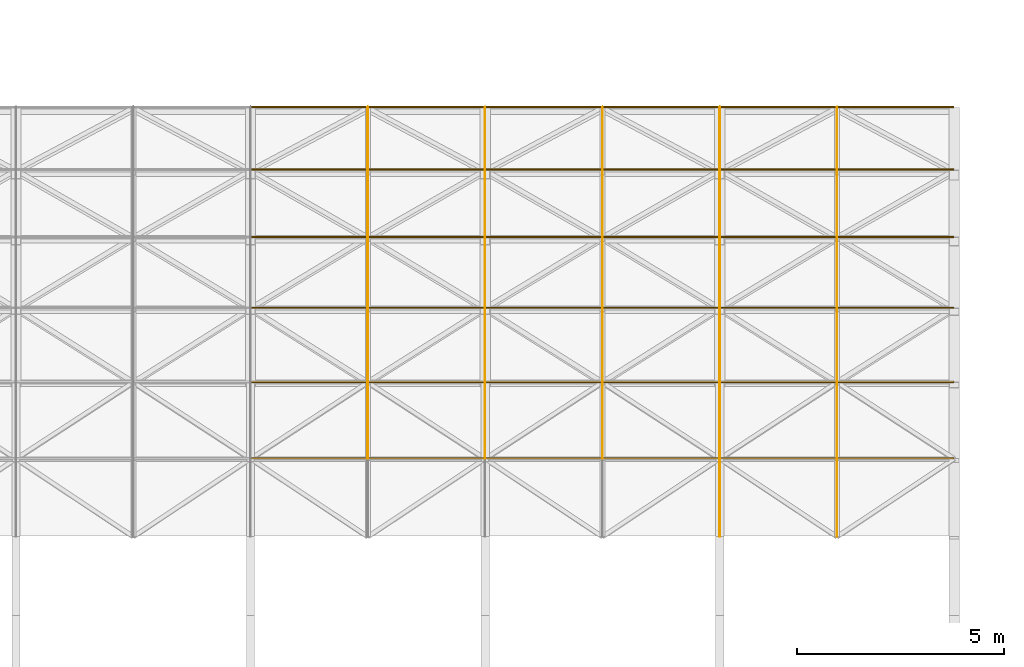
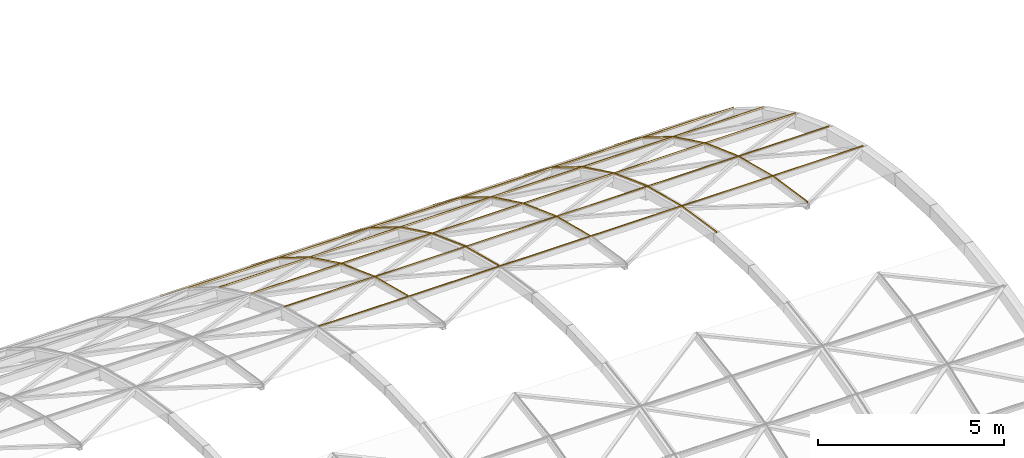
# One storey, part 70 of 85: 63 coverings.
"""IFC4 building model written with IfcOpenShell, lengths in metres."""

from ifc_helpers import new_model, si_unit, direction, frame, origin, origin_2d, place, context, subcontext, project, spatial, rectangle, extrude, material, material_profile, profile_set, type_object, element, save


model = new_model("IFC4")

# Units and contexts
model_context = context("Model", 3, precision=1e-05, world=origin(), true_north=direction((0.0, 1.0)))
body_context = subcontext(model_context, "Body", "Model", "MODEL_VIEW")
ifc_project = project(units=[si_unit("LENGTHUNIT", "METRE"), si_unit("AREAUNIT", "SQUARE_METRE"), si_unit("VOLUMEUNIT", "CUBIC_METRE"), si_unit("PLANEANGLEUNIT", "RADIAN"), si_unit("MASSUNIT", "GRAM", prefix="KILO")], contexts=[model_context])

# Site, building, storey
site_placement = place(None, origin())
site = spatial("IfcSite", under=ifc_project, at=site_placement, CompositionType="ELEMENT")
building_placement = place(site_placement, origin())
building = spatial("IfcBuilding", under=site, at=building_placement, Name="Lantern Court Research Institute", CompositionType="ELEMENT")
storey_placement = place(building_placement, frame((0.0, 0.0, 18.89990234375)))
storey = spatial("IfcBuildingStorey", under=building, at=storey_placement, Name="L04", CompositionType="ELEMENT", Elevation=18.89990234375)

# Coverings
ifc_material_1 = material(Name="Aluminium alloy 6063-T6", Category="aluminium")
ifc_material_profile_1 = material_profile(ifc_material_1, rectangle(XDim=0.01806640625, YDim=0.035888671875, at=origin_2d()), Name="Joint cover bar 18 x 36")
ifc_profile_set_1 = profile_set([ifc_material_profile_1], Name="Aluminium alloy 6063-T6")
covering_type_1 = type_object("IfcCoveringType", Name="Joint cover bar 18 x 36", PredefinedType="MOLDING", material=ifc_profile_set_1)
for number, where, z_axis, x_axis, name in (
    (1, (62.238525390625, 43.909423828125, 4.335693359375), (1.0, 0.0, 0.0), (0.0, 0.979787176632, -0.200042716708), "Joint cover bar"),
    (2, (62.238525390625, 45.753662109375, 3.861328125), (1.0, 0.0, 0.0), (0.0, 0.954713115517, -0.29752792652), "Joint cover bar"),
):
    element("IfcCovering", number, at=place(storey_placement, frame(where, z_axis=z_axis, x_axis=x_axis)), inside=storey, type_object=covering_type_1, Name=name, PredefinedType="MOLDING", context=body_context, shape_type="SweptSolid", body=[
        extrude(rectangle(XDim=0.01806640625, YDim=0.035888671875, at=origin_2d()), origin(), (0.0, 0.0, 1.0), 2.80859375),
    ])
covering_1_placement = place(storey_placement, frame((65.05712890625, 43.910400390625, 4.33544921875), z_axis=(0.0, 0.968474356566, -0.249113268764), x_axis=(-1.0, 0.0, 0.0)))
element("IfcCovering", 3, at=covering_1_placement, inside=storey, type_object=covering_type_1, Name="Joint cover bar", PredefinedType="MOLDING", context=body_context, shape_type="SweptSolid", body=[
    extrude(rectangle(XDim=0.01806640625, YDim=0.035888671875, at=origin_2d()), origin(), (0.0, 0.0, 1.0), 1.90234375),
])
for number, where, z_axis, x_axis, name in (
    (4, (65.067138671875, 43.909423828125, 4.335693359375), (1.0, 0.0, 0.0), (0.0, 0.979787176632, -0.200042716708), "Joint cover bar"),
    (5, (65.067138671875, 45.753662109375, 3.861328125), (1.0, 0.0, 0.0), (0.0, 0.954713115517, -0.29752792652), "Joint cover bar"),
):
    element("IfcCovering", number, at=place(storey_placement, frame(where, z_axis=z_axis, x_axis=x_axis)), inside=storey, type_object=covering_type_1, Name=name, PredefinedType="MOLDING", context=body_context, shape_type="SweptSolid", body=[
        extrude(rectangle(XDim=0.01806640625, YDim=0.035888671875, at=origin_2d()), origin(), (0.0, 0.0, 1.0), 2.80859375),
    ])
covering_2_placement = place(storey_placement, frame((67.8857421875, 43.910400390625, 4.33544921875), z_axis=(0.0, 0.968474356566, -0.249113268764), x_axis=(-1.0, 0.0, 0.0)))
element("IfcCovering", 6, at=covering_2_placement, inside=storey, type_object=covering_type_1, Name="Joint cover bar", PredefinedType="MOLDING", context=body_context, shape_type="SweptSolid", body=[
    extrude(rectangle(XDim=0.01806640625, YDim=0.035888671875, at=origin_2d()), origin(), (0.0, 0.0, 1.0), 1.90234375),
])
for number, where, z_axis, x_axis, name in (
    (7, (67.895751953125, 43.909423828125, 4.335693359375), (1.0, 0.0, 0.0), (0.0, 0.979787176632, -0.200042716708), "Joint cover bar"),
    (8, (67.895751953125, 45.753662109375, 3.861328125), (1.0, 0.0, 0.0), (0.0, 0.954713115517, -0.29752792652), "Joint cover bar"),
):
    element("IfcCovering", number, at=place(storey_placement, frame(where, z_axis=z_axis, x_axis=x_axis)), inside=storey, type_object=covering_type_1, Name=name, PredefinedType="MOLDING", context=body_context, shape_type="SweptSolid", body=[
        extrude(rectangle(XDim=0.01806640625, YDim=0.035888671875, at=origin_2d()), origin(), (0.0, 0.0, 1.0), 2.80859375),
    ])
covering_3_placement = place(storey_placement, frame((70.71435546875, 43.910400390625, 4.33544921875), z_axis=(0.0, 0.968474356566, -0.249113268764), x_axis=(-1.0, 0.0, 0.0)))
element("IfcCovering", 9, at=covering_3_placement, inside=storey, type_object=covering_type_1, Name="Joint cover bar", PredefinedType="MOLDING", context=body_context, shape_type="SweptSolid", body=[
    extrude(rectangle(XDim=0.01806640625, YDim=0.035888671875, at=origin_2d()), origin(), (0.0, 0.0, 1.0), 1.90234375),
])
for number, where, z_axis, x_axis, name in (
    (10, (70.724365234375, 43.909423828125, 4.335693359375), (1.0, 0.0, 0.0), (0.0, 0.979787176632, -0.200042716708), "Joint cover bar"),
    (11, (70.724365234375, 45.753662109375, 3.861328125), (1.0, 0.0, 0.0), (0.0, 0.954713115517, -0.29752792652), "Joint cover bar"),
):
    element("IfcCovering", number, at=place(storey_placement, frame(where, z_axis=z_axis, x_axis=x_axis)), inside=storey, type_object=covering_type_1, Name=name, PredefinedType="MOLDING", context=body_context, shape_type="SweptSolid", body=[
        extrude(rectangle(XDim=0.01806640625, YDim=0.035888671875, at=origin_2d()), origin(), (0.0, 0.0, 1.0), 2.80859375),
    ])
for number, where, z_axis, x_axis, name in (
    (12, (73.54296875, 42.02783203125, 4.6220703125), (0.0, 0.988622571714, -0.150417454764), (-1.0, 0.0, 0.0), "Joint cover bar"),
    (13, (73.54296875, 43.910400390625, 4.33544921875), (0.0, 0.968474356566, -0.249113268764), (-1.0, 0.0, 0.0), "Joint cover bar"),
):
    element("IfcCovering", number, at=place(storey_placement, frame(where, z_axis=z_axis, x_axis=x_axis)), inside=storey, type_object=covering_type_1, Name=name, PredefinedType="MOLDING", context=body_context, shape_type="SweptSolid", body=[
        extrude(rectangle(XDim=0.01806640625, YDim=0.035888671875, at=origin_2d()), origin(), (0.0, 0.0, 1.0), 1.90234375),
    ])
for number, where, z_axis, x_axis, name in (
    (14, (73.552978515625, 43.909423828125, 4.335693359375), (1.0, 0.0, 0.0), (0.0, 0.979787176632, -0.200042716708), "Joint cover bar"),
    (15, (73.552978515625, 45.753662109375, 3.861328125), (1.0, 0.0, 0.0), (0.0, 0.954713115517, -0.29752792652), "Joint cover bar"),
):
    element("IfcCovering", number, at=place(storey_placement, frame(where, z_axis=z_axis, x_axis=x_axis)), inside=storey, type_object=covering_type_1, Name=name, PredefinedType="MOLDING", context=body_context, shape_type="SweptSolid", body=[
        extrude(rectangle(XDim=0.01806640625, YDim=0.035888671875, at=origin_2d()), origin(), (0.0, 0.0, 1.0), 2.808349609375),
    ])
for number, where, z_axis, x_axis, name in (
    (16, (76.371337890625, 42.02783203125, 4.6220703125), (0.0, 0.988622571714, -0.150417454764), (-1.0, 0.0, 0.0), "Joint cover bar"),
    (17, (76.371337890625, 43.910400390625, 4.33544921875), (0.0, 0.968474356566, -0.249113268764), (-1.0, 0.0, 0.0), "Joint cover bar"),
):
    element("IfcCovering", number, at=place(storey_placement, frame(where, z_axis=z_axis, x_axis=x_axis)), inside=storey, type_object=covering_type_1, Name=name, PredefinedType="MOLDING", context=body_context, shape_type="SweptSolid", body=[
        extrude(rectangle(XDim=0.01806640625, YDim=0.035888671875, at=origin_2d()), origin(), (0.0, 0.0, 1.0), 1.90234375),
    ])
for number, where, z_axis, x_axis, name in (
    (18, (76.38134765625, 43.909423828125, 4.335693359375), (1.0, 0.0, 0.0), (0.0, 0.979787176632, -0.200042716708), "Joint cover bar"),
    (19, (76.38134765625, 45.753662109375, 3.861328125), (1.0, 0.0, 0.0), (0.0, 0.954713115517, -0.29752792652), "Joint cover bar"),
):
    element("IfcCovering", number, at=place(storey_placement, frame(where, z_axis=z_axis, x_axis=x_axis)), inside=storey, type_object=covering_type_1, Name=name, PredefinedType="MOLDING", context=body_context, shape_type="SweptSolid", body=[
        extrude(rectangle(XDim=0.01806640625, YDim=0.035888671875, at=origin_2d()), origin(), (0.0, 0.0, 1.0), 2.80859375),
    ])
ifc_material_2 = material(Name="Aluminium alloy 6063-T6", Category="aluminium")
ifc_material_profile_2 = material_profile(ifc_material_2, rectangle(XDim=0.01806640625, YDim=0.0439453125, at=origin_2d()), Name="Joint cover bar 18 x 44")
ifc_profile_set_2 = profile_set([ifc_material_profile_2], Name="Aluminium alloy 6063-T6")
covering_type_2 = type_object("IfcCoveringType", Name="Joint cover bar 18 x 44", PredefinedType="MOLDING", material=ifc_profile_set_2)
for number, where, z_axis, x_axis, name in (
    (20, (62.238525390625, 47.54248046875, 3.207763671875), (1.0, 0.0, 0.0), (0.0, 0.919965822984, -0.391998577219), "Joint cover bar"),
    (21, (62.238525390625, 49.2548828125, 2.373779296875), (1.0, 0.0, 0.0), (0.0, 0.875897373228, -0.482497452399), "Joint cover bar"),
    (22, (62.238525390625, 50.874755859375, 1.3720703125), (1.0, 0.0, 0.0), (0.0, 0.822954255966, -0.568107641726), "Joint cover bar"),
    (23, (62.238525390625, 52.3857421875, 0.21240234375), (1.0, 0.0, 0.0), (0.0, 0.761672913152, -0.647961706717), "Joint cover bar"),
):
    element("IfcCovering", number, at=place(storey_placement, frame(where, z_axis=z_axis, x_axis=x_axis)), inside=storey, type_object=covering_type_2, Name=name, PredefinedType="MOLDING", context=body_context, shape_type="SweptSolid", body=[
        extrude(rectangle(XDim=0.01806640625, YDim=0.0439453125, at=origin_2d()), origin(), (0.0, 0.0, 1.0), 2.80859375),
    ])
covering_4_placement = place(storey_placement, frame((65.05712890625, 45.755859375, 3.86474609375), z_axis=(0.0, 0.938520472327, -0.345223584105), x_axis=(-1.0, 0.0, 0.0)))
element("IfcCovering", 24, at=covering_4_placement, inside=storey, type_object=covering_type_2, Name="Joint cover bar", PredefinedType="MOLDING", context=body_context, shape_type="SweptSolid", body=[
    extrude(rectangle(XDim=0.01806640625, YDim=0.0439453125, at=origin_2d()), origin(), (0.0, 0.0, 1.0), 1.90234375),
])
covering_5_placement = place(storey_placement, frame((65.05712890625, 47.54345703125, 3.207275390625), z_axis=(0.0, 0.899049454889, -0.437847093931), x_axis=(-1.0, 0.0, 0.0)))
element("IfcCovering", 25, at=covering_5_placement, inside=storey, type_object=covering_type_2, Name="Joint cover bar", PredefinedType="MOLDING", context=body_context, shape_type="SweptSolid", body=[
    extrude(rectangle(XDim=0.01806640625, YDim=0.0439453125, at=origin_2d()), origin(), (0.0, 0.0, 1.0), 1.902587890625),
])
covering_6_placement = place(storey_placement, frame((65.067138671875, 47.54248046875, 3.207763671875), z_axis=(1.0, 0.0, 0.0), x_axis=(0.0, 0.919965822984, -0.391998577219)))
element("IfcCovering", 26, at=covering_6_placement, inside=storey, type_object=covering_type_2, Name="Joint cover bar", PredefinedType="MOLDING", context=body_context, shape_type="SweptSolid", body=[
    extrude(rectangle(XDim=0.01806640625, YDim=0.0439453125, at=origin_2d()), origin(), (0.0, 0.0, 1.0), 2.80859375),
])
covering_7_placement = place(storey_placement, frame((65.05712890625, 49.255859375, 2.373291015625), z_axis=(0.0, 0.850462004525, -0.526036480541), x_axis=(-1.0, 0.0, 0.0)))
element("IfcCovering", 27, at=covering_7_placement, inside=storey, type_object=covering_type_2, Name="Joint cover bar", PredefinedType="MOLDING", context=body_context, shape_type="SweptSolid", body=[
    extrude(rectangle(XDim=0.01806640625, YDim=0.0439453125, at=origin_2d()), origin(), (0.0, 0.0, 1.0), 1.90234375),
])
covering_8_placement = place(storey_placement, frame((65.067138671875, 49.2548828125, 2.373779296875), z_axis=(1.0, 0.0, 0.0), x_axis=(0.0, 0.875897373228, -0.482497452399)))
element("IfcCovering", 28, at=covering_8_placement, inside=storey, type_object=covering_type_2, Name="Joint cover bar", PredefinedType="MOLDING", context=body_context, shape_type="SweptSolid", body=[
    extrude(rectangle(XDim=0.01806640625, YDim=0.0439453125, at=origin_2d()), origin(), (0.0, 0.0, 1.0), 2.80859375),
])
covering_9_placement = place(storey_placement, frame((65.05712890625, 50.875732421875, 1.371337890625), z_axis=(0.0, 0.793329505358, -0.608792490039), x_axis=(-1.0, 0.0, 0.0)))
element("IfcCovering", 29, at=covering_9_placement, inside=storey, type_object=covering_type_2, Name="Joint cover bar", PredefinedType="MOLDING", context=body_context, shape_type="SweptSolid", body=[
    extrude(rectangle(XDim=0.01806640625, YDim=0.0439453125, at=origin_2d()), origin(), (0.0, 0.0, 1.0), 1.90234375),
])
for number, where, z_axis, x_axis, name in (
    (30, (65.067138671875, 50.874755859375, 1.3720703125), (1.0, 0.0, 0.0), (0.0, 0.822954255966, -0.568107641726), "Joint cover bar"),
    (31, (65.067138671875, 52.3857421875, 0.21240234375), (1.0, 0.0, 0.0), (0.0, 0.761672913152, -0.647961706717), "Joint cover bar"),
):
    element("IfcCovering", number, at=place(storey_placement, frame(where, z_axis=z_axis, x_axis=x_axis)), inside=storey, type_object=covering_type_2, Name=name, PredefinedType="MOLDING", context=body_context, shape_type="SweptSolid", body=[
        extrude(rectangle(XDim=0.01806640625, YDim=0.0439453125, at=origin_2d()), origin(), (0.0, 0.0, 1.0), 2.80859375),
    ])
covering_10_placement = place(storey_placement, frame((67.8857421875, 45.755859375, 3.86474609375), z_axis=(0.0, 0.938520472327, -0.345223584105), x_axis=(-1.0, 0.0, 0.0)))
element("IfcCovering", 32, at=covering_10_placement, inside=storey, type_object=covering_type_2, Name="Joint cover bar", PredefinedType="MOLDING", context=body_context, shape_type="SweptSolid", body=[
    extrude(rectangle(XDim=0.01806640625, YDim=0.0439453125, at=origin_2d()), origin(), (0.0, 0.0, 1.0), 1.90234375),
])
covering_11_placement = place(storey_placement, frame((67.8857421875, 47.54345703125, 3.207275390625), z_axis=(0.0, 0.899049454889, -0.437847093931), x_axis=(-1.0, 0.0, 0.0)))
element("IfcCovering", 33, at=covering_11_placement, inside=storey, type_object=covering_type_2, Name="Joint cover bar", PredefinedType="MOLDING", context=body_context, shape_type="SweptSolid", body=[
    extrude(rectangle(XDim=0.01806640625, YDim=0.0439453125, at=origin_2d()), origin(), (0.0, 0.0, 1.0), 1.902587890625),
])
covering_12_placement = place(storey_placement, frame((67.895751953125, 47.54248046875, 3.207763671875), z_axis=(1.0, 0.0, 0.0), x_axis=(0.0, 0.919965822984, -0.391998577219)))
element("IfcCovering", 34, at=covering_12_placement, inside=storey, type_object=covering_type_2, Name="Joint cover bar", PredefinedType="MOLDING", context=body_context, shape_type="SweptSolid", body=[
    extrude(rectangle(XDim=0.01806640625, YDim=0.0439453125, at=origin_2d()), origin(), (0.0, 0.0, 1.0), 2.80859375),
])
covering_13_placement = place(storey_placement, frame((67.8857421875, 49.255859375, 2.373291015625), z_axis=(0.0, 0.850462004525, -0.526036480541), x_axis=(-1.0, 0.0, 0.0)))
element("IfcCovering", 35, at=covering_13_placement, inside=storey, type_object=covering_type_2, Name="Joint cover bar", PredefinedType="MOLDING", context=body_context, shape_type="SweptSolid", body=[
    extrude(rectangle(XDim=0.01806640625, YDim=0.0439453125, at=origin_2d()), origin(), (0.0, 0.0, 1.0), 1.90234375),
])
covering_14_placement = place(storey_placement, frame((67.895751953125, 49.2548828125, 2.373779296875), z_axis=(1.0, 0.0, 0.0), x_axis=(0.0, 0.875897373228, -0.482497452399)))
element("IfcCovering", 36, at=covering_14_placement, inside=storey, type_object=covering_type_2, Name="Joint cover bar", PredefinedType="MOLDING", context=body_context, shape_type="SweptSolid", body=[
    extrude(rectangle(XDim=0.01806640625, YDim=0.0439453125, at=origin_2d()), origin(), (0.0, 0.0, 1.0), 2.80859375),
])
covering_15_placement = place(storey_placement, frame((67.8857421875, 50.875732421875, 1.371337890625), z_axis=(0.0, 0.793329505358, -0.608792490039), x_axis=(-1.0, 0.0, 0.0)))
element("IfcCovering", 37, at=covering_15_placement, inside=storey, type_object=covering_type_2, Name="Joint cover bar", PredefinedType="MOLDING", context=body_context, shape_type="SweptSolid", body=[
    extrude(rectangle(XDim=0.01806640625, YDim=0.0439453125, at=origin_2d()), origin(), (0.0, 0.0, 1.0), 1.90234375),
])
for number, where, z_axis, x_axis, name in (
    (38, (67.895751953125, 50.874755859375, 1.3720703125), (1.0, 0.0, 0.0), (0.0, 0.822954255966, -0.568107641726), "Joint cover bar"),
    (39, (67.895751953125, 52.3857421875, 0.21240234375), (1.0, 0.0, 0.0), (0.0, 0.761672913152, -0.647961706717), "Joint cover bar"),
):
    element("IfcCovering", number, at=place(storey_placement, frame(where, z_axis=z_axis, x_axis=x_axis)), inside=storey, type_object=covering_type_2, Name=name, PredefinedType="MOLDING", context=body_context, shape_type="SweptSolid", body=[
        extrude(rectangle(XDim=0.01806640625, YDim=0.0439453125, at=origin_2d()), origin(), (0.0, 0.0, 1.0), 2.80859375),
    ])
covering_16_placement = place(storey_placement, frame((70.71435546875, 45.755859375, 3.86474609375), z_axis=(0.0, 0.938520472327, -0.345223584105), x_axis=(-1.0, 0.0, 0.0)))
element("IfcCovering", 40, at=covering_16_placement, inside=storey, type_object=covering_type_2, Name="Joint cover bar", PredefinedType="MOLDING", context=body_context, shape_type="SweptSolid", body=[
    extrude(rectangle(XDim=0.01806640625, YDim=0.0439453125, at=origin_2d()), origin(), (0.0, 0.0, 1.0), 1.90234375),
])
covering_17_placement = place(storey_placement, frame((70.71435546875, 47.54345703125, 3.207275390625), z_axis=(0.0, 0.899049454889, -0.437847093931), x_axis=(-1.0, 0.0, 0.0)))
element("IfcCovering", 41, at=covering_17_placement, inside=storey, type_object=covering_type_2, Name="Joint cover bar", PredefinedType="MOLDING", context=body_context, shape_type="SweptSolid", body=[
    extrude(rectangle(XDim=0.01806640625, YDim=0.0439453125, at=origin_2d()), origin(), (0.0, 0.0, 1.0), 1.902587890625),
])
covering_18_placement = place(storey_placement, frame((70.724365234375, 47.54248046875, 3.207763671875), z_axis=(1.0, 0.0, 0.0), x_axis=(0.0, 0.919965822984, -0.391998577219)))
element("IfcCovering", 42, at=covering_18_placement, inside=storey, type_object=covering_type_2, Name="Joint cover bar", PredefinedType="MOLDING", context=body_context, shape_type="SweptSolid", body=[
    extrude(rectangle(XDim=0.01806640625, YDim=0.0439453125, at=origin_2d()), origin(), (0.0, 0.0, 1.0), 2.80859375),
])
covering_19_placement = place(storey_placement, frame((70.71435546875, 49.255859375, 2.373291015625), z_axis=(0.0, 0.850462004525, -0.526036480541), x_axis=(-1.0, 0.0, 0.0)))
element("IfcCovering", 43, at=covering_19_placement, inside=storey, type_object=covering_type_2, Name="Joint cover bar", PredefinedType="MOLDING", context=body_context, shape_type="SweptSolid", body=[
    extrude(rectangle(XDim=0.01806640625, YDim=0.0439453125, at=origin_2d()), origin(), (0.0, 0.0, 1.0), 1.90234375),
])
covering_20_placement = place(storey_placement, frame((70.724365234375, 49.2548828125, 2.373779296875), z_axis=(1.0, 0.0, 0.0), x_axis=(0.0, 0.875897373228, -0.482497452399)))
element("IfcCovering", 44, at=covering_20_placement, inside=storey, type_object=covering_type_2, Name="Joint cover bar", PredefinedType="MOLDING", context=body_context, shape_type="SweptSolid", body=[
    extrude(rectangle(XDim=0.01806640625, YDim=0.0439453125, at=origin_2d()), origin(), (0.0, 0.0, 1.0), 2.80859375),
])
covering_21_placement = place(storey_placement, frame((70.71435546875, 50.875732421875, 1.371337890625), z_axis=(0.0, 0.793329505358, -0.608792490039), x_axis=(-1.0, 0.0, 0.0)))
element("IfcCovering", 45, at=covering_21_placement, inside=storey, type_object=covering_type_2, Name="Joint cover bar", PredefinedType="MOLDING", context=body_context, shape_type="SweptSolid", body=[
    extrude(rectangle(XDim=0.01806640625, YDim=0.0439453125, at=origin_2d()), origin(), (0.0, 0.0, 1.0), 1.90234375),
])
for number, where, z_axis, x_axis, name in (
    (46, (70.724365234375, 50.874755859375, 1.3720703125), (1.0, 0.0, 0.0), (0.0, 0.822954255966, -0.568107641726), "Joint cover bar"),
    (47, (70.724365234375, 52.3857421875, 0.21240234375), (1.0, 0.0, 0.0), (0.0, 0.761672913152, -0.647961706717), "Joint cover bar"),
):
    element("IfcCovering", number, at=place(storey_placement, frame(where, z_axis=z_axis, x_axis=x_axis)), inside=storey, type_object=covering_type_2, Name=name, PredefinedType="MOLDING", context=body_context, shape_type="SweptSolid", body=[
        extrude(rectangle(XDim=0.01806640625, YDim=0.0439453125, at=origin_2d()), origin(), (0.0, 0.0, 1.0), 2.80859375),
    ])
covering_22_placement = place(storey_placement, frame((73.54296875, 45.755859375, 3.86474609375), z_axis=(0.0, 0.938520472327, -0.345223584105), x_axis=(-1.0, 0.0, 0.0)))
element("IfcCovering", 48, at=covering_22_placement, inside=storey, type_object=covering_type_2, Name="Joint cover bar", PredefinedType="MOLDING", context=body_context, shape_type="SweptSolid", body=[
    extrude(rectangle(XDim=0.01806640625, YDim=0.0439453125, at=origin_2d()), origin(), (0.0, 0.0, 1.0), 1.90234375),
])
covering_23_placement = place(storey_placement, frame((73.54296875, 47.54345703125, 3.207275390625), z_axis=(0.0, 0.899049454889, -0.437847093931), x_axis=(-1.0, 0.0, 0.0)))
element("IfcCovering", 49, at=covering_23_placement, inside=storey, type_object=covering_type_2, Name="Joint cover bar", PredefinedType="MOLDING", context=body_context, shape_type="SweptSolid", body=[
    extrude(rectangle(XDim=0.01806640625, YDim=0.0439453125, at=origin_2d()), origin(), (0.0, 0.0, 1.0), 1.902587890625),
])
covering_24_placement = place(storey_placement, frame((73.552978515625, 47.54248046875, 3.207763671875), z_axis=(1.0, 0.0, 0.0), x_axis=(0.0, 0.919965822984, -0.391998577219)))
element("IfcCovering", 50, at=covering_24_placement, inside=storey, type_object=covering_type_2, Name="Joint cover bar", PredefinedType="MOLDING", context=body_context, shape_type="SweptSolid", body=[
    extrude(rectangle(XDim=0.01806640625, YDim=0.0439453125, at=origin_2d()), origin(), (0.0, 0.0, 1.0), 2.808349609375),
])
covering_25_placement = place(storey_placement, frame((73.54296875, 49.255859375, 2.373291015625), z_axis=(0.0, 0.850462004525, -0.526036480541), x_axis=(-1.0, 0.0, 0.0)))
element("IfcCovering", 51, at=covering_25_placement, inside=storey, type_object=covering_type_2, Name="Joint cover bar", PredefinedType="MOLDING", context=body_context, shape_type="SweptSolid", body=[
    extrude(rectangle(XDim=0.01806640625, YDim=0.0439453125, at=origin_2d()), origin(), (0.0, 0.0, 1.0), 1.90234375),
])
covering_26_placement = place(storey_placement, frame((73.552978515625, 49.2548828125, 2.373779296875), z_axis=(1.0, 0.0, 0.0), x_axis=(0.0, 0.875897373228, -0.482497452399)))
element("IfcCovering", 52, at=covering_26_placement, inside=storey, type_object=covering_type_2, Name="Joint cover bar", PredefinedType="MOLDING", context=body_context, shape_type="SweptSolid", body=[
    extrude(rectangle(XDim=0.01806640625, YDim=0.0439453125, at=origin_2d()), origin(), (0.0, 0.0, 1.0), 2.808349609375),
])
covering_27_placement = place(storey_placement, frame((73.54296875, 50.875732421875, 1.371337890625), z_axis=(0.0, 0.793329505358, -0.608792490039), x_axis=(-1.0, 0.0, 0.0)))
element("IfcCovering", 53, at=covering_27_placement, inside=storey, type_object=covering_type_2, Name="Joint cover bar", PredefinedType="MOLDING", context=body_context, shape_type="SweptSolid", body=[
    extrude(rectangle(XDim=0.01806640625, YDim=0.0439453125, at=origin_2d()), origin(), (0.0, 0.0, 1.0), 1.90234375),
])
for number, where, z_axis, x_axis, name in (
    (54, (73.552978515625, 50.874755859375, 1.3720703125), (1.0, 0.0, 0.0), (0.0, 0.822954255966, -0.568107641726), "Joint cover bar"),
    (55, (73.552978515625, 52.3857421875, 0.21240234375), (1.0, 0.0, 0.0), (0.0, 0.761672913152, -0.647961706717), "Joint cover bar"),
):
    element("IfcCovering", number, at=place(storey_placement, frame(where, z_axis=z_axis, x_axis=x_axis)), inside=storey, type_object=covering_type_2, Name=name, PredefinedType="MOLDING", context=body_context, shape_type="SweptSolid", body=[
        extrude(rectangle(XDim=0.01806640625, YDim=0.0439453125, at=origin_2d()), origin(), (0.0, 0.0, 1.0), 2.808349609375),
    ])
covering_28_placement = place(storey_placement, frame((76.371337890625, 45.755859375, 3.86474609375), z_axis=(0.0, 0.938520472327, -0.345223584105), x_axis=(-1.0, 0.0, 0.0)))
element("IfcCovering", 56, at=covering_28_placement, inside=storey, type_object=covering_type_2, Name="Joint cover bar", PredefinedType="MOLDING", context=body_context, shape_type="SweptSolid", body=[
    extrude(rectangle(XDim=0.01806640625, YDim=0.0439453125, at=origin_2d()), origin(), (0.0, 0.0, 1.0), 1.90234375),
])
covering_29_placement = place(storey_placement, frame((76.371337890625, 47.54345703125, 3.207275390625), z_axis=(0.0, 0.899049454889, -0.437847093931), x_axis=(-1.0, 0.0, 0.0)))
element("IfcCovering", 57, at=covering_29_placement, inside=storey, type_object=covering_type_2, Name="Joint cover bar", PredefinedType="MOLDING", context=body_context, shape_type="SweptSolid", body=[
    extrude(rectangle(XDim=0.01806640625, YDim=0.0439453125, at=origin_2d()), origin(), (0.0, 0.0, 1.0), 1.902587890625),
])
covering_30_placement = place(storey_placement, frame((76.38134765625, 47.54248046875, 3.207763671875), z_axis=(1.0, 0.0, 0.0), x_axis=(0.0, 0.919965822984, -0.391998577219)))
element("IfcCovering", 58, at=covering_30_placement, inside=storey, type_object=covering_type_2, Name="Joint cover bar", PredefinedType="MOLDING", context=body_context, shape_type="SweptSolid", body=[
    extrude(rectangle(XDim=0.01806640625, YDim=0.0439453125, at=origin_2d()), origin(), (0.0, 0.0, 1.0), 2.80859375),
])
covering_31_placement = place(storey_placement, frame((76.371337890625, 49.255859375, 2.373291015625), z_axis=(0.0, 0.850462004525, -0.526036480541), x_axis=(-1.0, 0.0, 0.0)))
element("IfcCovering", 59, at=covering_31_placement, inside=storey, type_object=covering_type_2, Name="Joint cover bar", PredefinedType="MOLDING", context=body_context, shape_type="SweptSolid", body=[
    extrude(rectangle(XDim=0.01806640625, YDim=0.0439453125, at=origin_2d()), origin(), (0.0, 0.0, 1.0), 1.90234375),
])
covering_32_placement = place(storey_placement, frame((76.38134765625, 49.2548828125, 2.373779296875), z_axis=(1.0, 0.0, 0.0), x_axis=(0.0, 0.875897373228, -0.482497452399)))
element("IfcCovering", 60, at=covering_32_placement, inside=storey, type_object=covering_type_2, Name="Joint cover bar", PredefinedType="MOLDING", context=body_context, shape_type="SweptSolid", body=[
    extrude(rectangle(XDim=0.01806640625, YDim=0.0439453125, at=origin_2d()), origin(), (0.0, 0.0, 1.0), 2.80859375),
])
covering_33_placement = place(storey_placement, frame((76.371337890625, 50.875732421875, 1.371337890625), z_axis=(0.0, 0.793329505358, -0.608792490039), x_axis=(-1.0, 0.0, 0.0)))
element("IfcCovering", 61, at=covering_33_placement, inside=storey, type_object=covering_type_2, Name="Joint cover bar", PredefinedType="MOLDING", context=body_context, shape_type="SweptSolid", body=[
    extrude(rectangle(XDim=0.01806640625, YDim=0.0439453125, at=origin_2d()), origin(), (0.0, 0.0, 1.0), 1.90234375),
])
for number, where, z_axis, x_axis, name in (
    (62, (76.38134765625, 50.874755859375, 1.3720703125), (1.0, 0.0, 0.0), (0.0, 0.822954255966, -0.568107641726), "Joint cover bar"),
    (63, (76.38134765625, 52.3857421875, 0.21240234375), (1.0, 0.0, 0.0), (0.0, 0.761672913152, -0.647961706717), "Joint cover bar"),
):
    element("IfcCovering", number, at=place(storey_placement, frame(where, z_axis=z_axis, x_axis=x_axis)), inside=storey, type_object=covering_type_2, Name=name, PredefinedType="MOLDING", context=body_context, shape_type="SweptSolid", body=[
        extrude(rectangle(XDim=0.01806640625, YDim=0.0439453125, at=origin_2d()), origin(), (0.0, 0.0, 1.0), 2.80859375),
    ])

save(model, "model.ifc")
